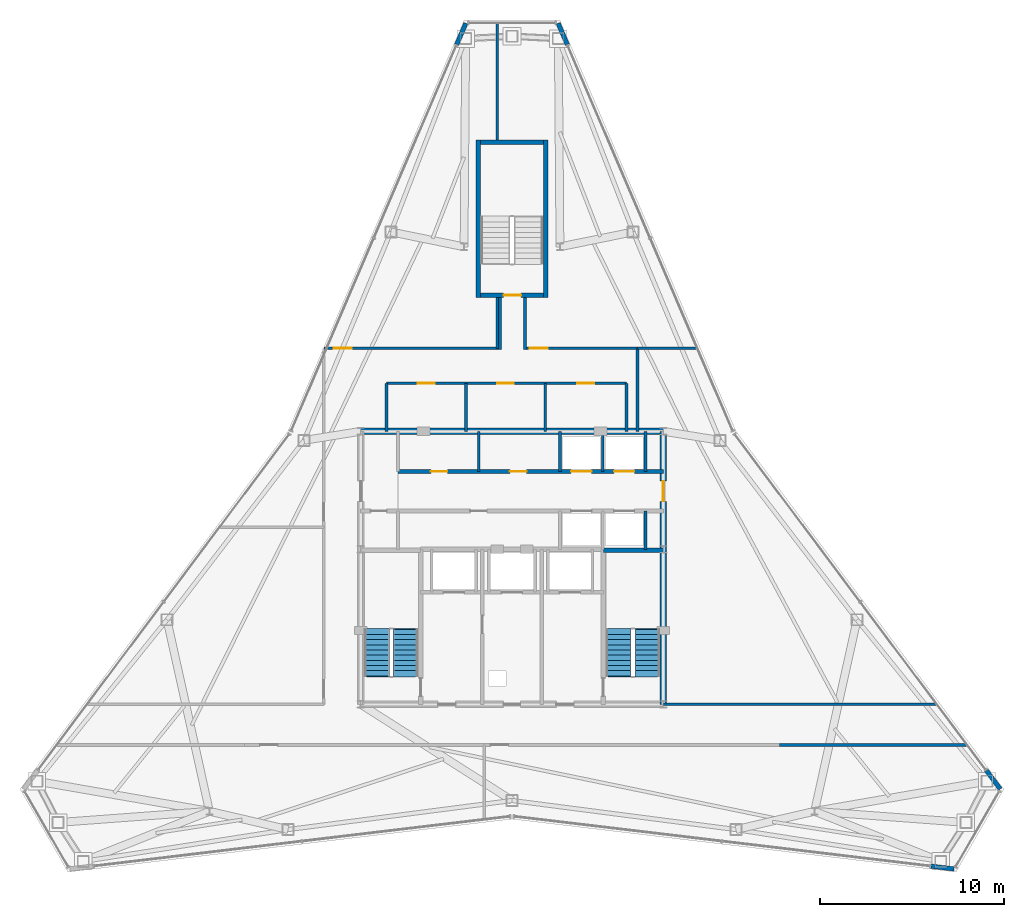
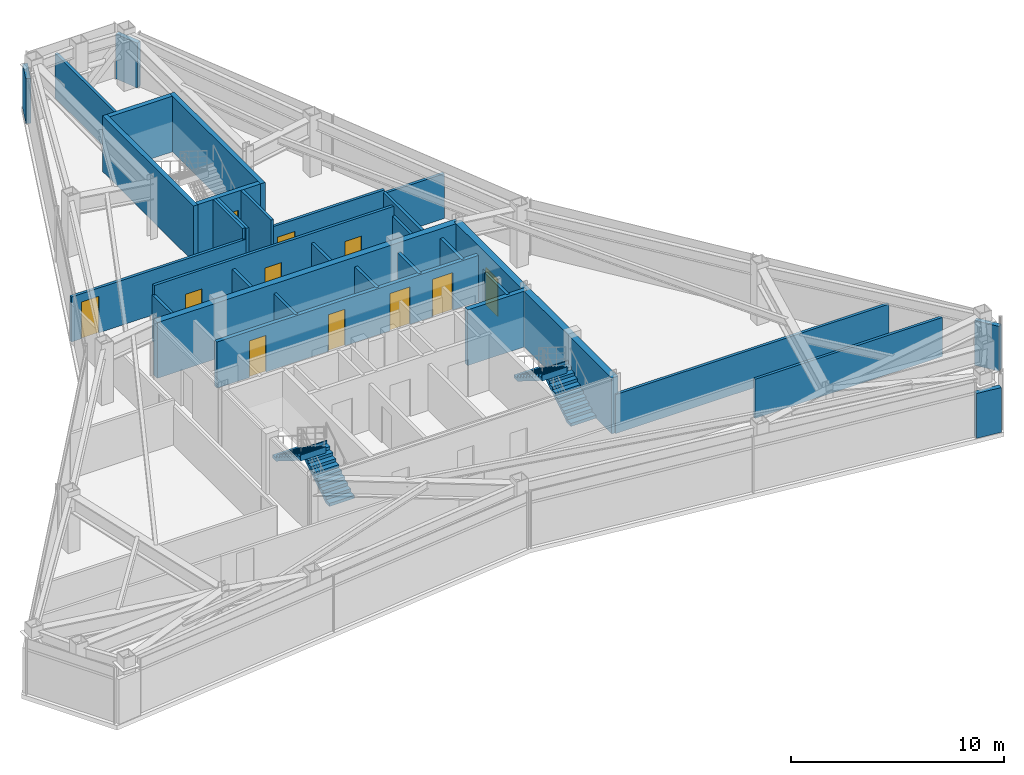
# One storey, part 10 of 12: 32 walls, 11 doors, 4 stair flights, 11 openings, 2 elements without a shape of their own.
"""IFC4 building model written with IfcOpenShell, lengths in metres."""

from ifc_helpers import new_model, si_unit, direction, frame, frame_2d, origin, place, context, subcontext, project, spatial, polyline, rectangle, outline, extrude, material, layer, layer_set, type_object, element, fill, aggregate, save


model = new_model("IFC4")

# Units and contexts
model_context = context("Model", 3, precision=1e-05, world=origin(), true_north=direction((0.0, 1.0)))
body_context = subcontext(model_context, "Body", "Model", "MODEL_VIEW")
ifc_project = project(units=[si_unit("LENGTHUNIT", "METRE"), si_unit("AREAUNIT", "SQUARE_METRE"), si_unit("VOLUMEUNIT", "CUBIC_METRE"), si_unit("PLANEANGLEUNIT", "RADIAN"), si_unit("MASSUNIT", "GRAM", prefix="KILO")], contexts=[model_context])

# Site, building, storey
site_placement = place(None, origin())
site = spatial("IfcSite", under=ifc_project, at=site_placement, CompositionType="ELEMENT")
building_placement = place(site_placement, origin())
building = spatial("IfcBuilding", under=site, at=building_placement, Name="Varakhsha Concourse Tower", CompositionType="ELEMENT")
storey_placement = place(building_placement, frame((0.0, 0.0, 286.5)))
storey = spatial("IfcBuildingStorey", under=building, at=storey_placement, Name="L81", CompositionType="ELEMENT", Elevation=286.5)

# Wall
ifc_material_1 = material(Name="Concrete fc 65 MPa", Category="concrete")
ifc_layer_1 = layer(ifc_material_1, 0.35009765625, Name="WL-CORE-350")
ifc_layer_set_1 = layer_set([ifc_layer_1], Name="Concrete fc 65 MPa")
wall_type_1 = type_object("IfcWallType", Name="WL-CORE-350", PredefinedType="SHEAR", material=ifc_layer_set_1)
wall_1_placement = place(storey_placement, frame((31.800048828125, 31.199951171875, 0.0), z_axis=(0.0, 0.0, 1.0), x_axis=(1.0, 0.0, 0.0)))
element("IfcWall", 1, at=wall_1_placement, inside=storey, type_object=wall_type_1, Name="L81 Wall CWALL-N-L81", PredefinedType="SHEAR", context=body_context, shape_type="SweptSolid", body=[
    extrude(rectangle(XDim=16.39990234375, YDim=0.35009765625, at=frame_2d((8.199951171875, 0.0))), origin(), (0.0, 0.0, 1.0), 3.199951171875),
])

# Wall, opening, door
wall_2_placement = place(storey_placement, frame((48.199951171875, 16.39990234375, 0.0), z_axis=(0.0, 0.0, 1.0), x_axis=(0.0, 1.0, 0.0)))
wall_2 = element("IfcWall", 2, at=wall_2_placement, inside=storey, type_object=wall_type_1, Name="L81 Wall CWALL-E-L81", PredefinedType="SHEAR", context=body_context, shape_type="SweptSolid", body=[
    extrude(rectangle(XDim=14.800048828125, YDim=0.35009765625, at=frame_2d((7.39990234375, 0.0))), origin(), (0.0, 0.0, 1.0), 3.199951171875),
])
opening_1_placement = place(wall_2_placement, frame((11.0, 0.0, 0.0)))
opening_1 = element("IfcOpeningElement", 3, at=opening_1_placement, cuts=wall_2, Name="Opening DL-01", PredefinedType="OPENING", context=body_context, shape_type="SweptSolid", body=[
    extrude(rectangle(XDim=1.10009765625, YDim=2.14990234375, at=frame_2d((0.550048828125, 1.074951171875))), frame((0.0, 0.18505859375, 0.0), z_axis=(0.0, -1.0, 0.0), x_axis=(1.0, 0.0, 0.0)), (0.0, 0.0, 1.0), 0.3701171875),
])
ifc_material_2 = material(Name="Anodised Bronze Architectural Aluminium AA 6063-T6", Category="aluminium")
door_type_1 = type_object("IfcDoorType", Name="DR-LOB-1100", OperationType="NOTDEFINED", PredefinedType="DOOR", material=ifc_material_2)
door_1_placement = place(opening_1_placement, origin())
door_1 = element("IfcDoor", 4, at=door_1_placement, inside=storey, type_object=door_type_1, Name="L81 Lift Lobby East Concourse Door", OperationType="SINGLE_SWING_RIGHT", OverallHeight=2.14990234375, OverallWidth=1.10009765625, PredefinedType="DOOR", context=body_context, shape_type="SweptSolid", body=[
    extrude(rectangle(XDim=1.10009765625, YDim=2.14990234375, at=frame_2d((0.550048828125, 1.074951171875))), frame((0.0, 0.02490234375, 0.0), z_axis=(0.0, -1.0, 0.0), x_axis=(1.0, 0.0, 0.0)), (0.0, 0.0, 1.0), 0.050048828125),
])
fill(opening_1, door_1)

# Walls
ifc_material_3 = material(Name="Concrete fc 45 MPa", Category="concrete")
ifc_layer_2 = layer(ifc_material_3, 0.239990234375, Name="WL-EXT-CRN-240")
ifc_layer_set_2 = layer_set([ifc_layer_2], Name="Concrete fc 45 MPa")
wall_type_2 = type_object("IfcWallType", Name="WL-EXT-CRN-240", PredefinedType="SHEAR", material=ifc_layer_set_2)
for number, where, z_axis, x_axis, name in (
    (5, (37.49853515625, 53.32080078125, 0.0), (0.0, 0.0, 1.0), (-0.393849395164, -0.919174985478, 0.0), "L81 Wind-Corner Shoulder Wall F2"),
    (6, (62.712890625, 7.623291015625, 0.0), (0.0, 0.0, 1.0), (0.992948828443, -0.118543764469, 0.0), "L81 Wind-Corner Shoulder Wall F6"),
):
    element("IfcWall", number, at=place(storey_placement, frame(where, z_axis=z_axis, x_axis=x_axis)), inside=storey, type_object=wall_type_2, Name=name, PredefinedType="SHEAR", context=body_context, shape_type="SweptSolid", body=[
        extrude(rectangle(XDim=1.2646484375, YDim=0.239990234375, at=frame_2d((0.63232421875, 0.0))), origin(), (0.0, 0.0, 1.0), 2.572998046875),
    ])
wall_3_placement = place(storey_placement, frame((66.469970703125, 11.805908203125, 0.0), z_axis=(0.0, 0.0, 1.0), x_axis=(-0.5991037677, 0.800671390477, 0.0)))
element("IfcWall", 7, at=wall_3_placement, inside=storey, type_object=wall_type_2, Name="L81 Wind-Corner Shoulder Wall F8", PredefinedType="SHEAR", context=body_context, shape_type="SweptSolid", body=[
    extrude(rectangle(XDim=1.264404296875, YDim=0.239990234375, at=frame_2d((0.63232421875, 0.0))), origin(), (0.0, 0.0, 1.0), 2.572998046875),
])
wall_4_placement = place(storey_placement, frame((42.99951171875, 52.158447265625, 0.0), z_axis=(0.0, 0.0, 1.0), x_axis=(-0.393849395164, 0.919174985478, 0.0)))
element("IfcWall", 8, at=wall_4_placement, inside=storey, type_object=wall_type_2, Name="L81 Wind-Corner Shoulder Wall F9", PredefinedType="SHEAR", context=body_context, shape_type="SweptSolid", body=[
    extrude(rectangle(XDim=1.2646484375, YDim=0.239990234375, at=frame_2d((0.63232421875, 0.0))), origin(), (0.0, 0.0, 1.0), 2.572998046875),
])
ifc_material_4 = material(Name="Fire-Rated Type X Gypsum Partition Assembly", Category="gypsum")
ifc_layer_3 = layer(ifc_material_4, 0.14990234375, Name="WL-PART-150")
ifc_layer_set_3 = layer_set([ifc_layer_3], Name="Fire-Rated Type X Gypsum Partition Assembly")
wall_type_3 = type_object("IfcWallType", Name="WL-PART-150", PredefinedType="PARTITIONING", material=ifc_layer_set_3)
wall_5_placement = place(storey_placement, frame((38.199951171875, 29.02001953125, 0.0), z_axis=(0.0, 0.0, 1.0), x_axis=(0.0, 1.0, 0.0)))
element("IfcWall", 9, at=wall_5_placement, inside=storey, type_object=wall_type_3, Name="L81 Wall P1F-D1-L81", PredefinedType="PARTITIONING", context=body_context, shape_type="SweptSolid", body=[
    extrude(rectangle(XDim=2.179931640625, YDim=0.14990234375, at=frame_2d((1.08984375, 0.0))), origin(), (0.0, 0.0, 1.0), 2.655029296875),
])

# Wall, openings, doors
wall_6_placement = place(storey_placement, frame((33.199951171875, 33.800048828125, 0.0), z_axis=(0.0, 0.0, 1.0), x_axis=(1.0, 0.0, 0.0)))
wall_6 = element("IfcWall", 10, at=wall_6_placement, inside=storey, type_object=wall_type_3, Name="L81 Wall NBOH-N-L81", PredefinedType="PARTITIONING", context=body_context, shape_type="SweptSolid", body=[
    extrude(rectangle(XDim=13.0, YDim=0.14990234375, at=frame_2d((6.5, 0.0))), origin(), (0.0, 0.0, 1.0), 3.199951171875),
])
opening_2_placement = place(wall_6_placement, frame((1.699951171875, 0.0, 0.0)))
opening_2 = element("IfcOpeningElement", 11, at=opening_2_placement, cuts=wall_6, Name="Opening DF-06", PredefinedType="OPENING", context=body_context, shape_type="SweptSolid", body=[
    extrude(rectangle(XDim=0.89990234375, YDim=2.10009765625, at=frame_2d((0.449951171875, 1.050048828125))), frame((0.0, 0.0849609375, 0.0), z_axis=(0.0, -1.0, 0.0), x_axis=(1.0, 0.0, 0.0)), (0.0, 0.0, 1.0), 0.169921875),
])
opening_3_placement = place(wall_6_placement, frame((6.0, 0.0, 0.0)))
opening_3 = element("IfcOpeningElement", 12, at=opening_3_placement, cuts=wall_6, Name="Opening DF-06", PredefinedType="OPENING", context=body_context, shape_type="SweptSolid", body=[
    extrude(rectangle(XDim=0.89990234375, YDim=2.10009765625, at=frame_2d((0.449951171875, 1.050048828125))), frame((0.0, 0.0849609375, 0.0), z_axis=(0.0, -1.0, 0.0), x_axis=(1.0, 0.0, 0.0)), (0.0, 0.0, 1.0), 0.169921875),
])
opening_4_placement = place(wall_6_placement, frame((10.35009765625, 0.0, 0.0)))
opening_4 = element("IfcOpeningElement", 13, at=opening_4_placement, cuts=wall_6, Name="Opening DF-06", PredefinedType="OPENING", context=body_context, shape_type="SweptSolid", body=[
    extrude(rectangle(XDim=0.89990234375, YDim=2.10009765625, at=frame_2d((0.449951171875, 1.050048828125))), frame((0.0, 0.0849609375, 0.0), z_axis=(0.0, -1.0, 0.0), x_axis=(1.0, 0.0, 0.0)), (0.0, 0.0, 1.0), 0.169921875),
])
ifc_material_5 = material(Name="Hollow Galvanised Steel Fire Door Assembly", Category="steel")
door_type_2 = type_object("IfcDoorType", Name="DR-FD60-900", OperationType="NOTDEFINED", PredefinedType="DOOR", material=ifc_material_5)
door_2_placement = place(opening_2_placement, origin())
door_2 = element("IfcDoor", 14, at=door_2_placement, inside=storey, type_object=door_type_2, Name="L81 Men Restroom WC Door", OperationType="SINGLE_SWING_LEFT", OverallHeight=2.10009765625, OverallWidth=0.89990234375, PredefinedType="DOOR", context=body_context, shape_type="SweptSolid", body=[
    extrude(rectangle(XDim=0.89990234375, YDim=2.10009765625, at=frame_2d((0.449951171875, 1.050048828125))), frame((0.0, 0.02490234375, 0.0), z_axis=(0.0, -1.0, 0.0), x_axis=(1.0, 0.0, 0.0)), (0.0, 0.0, 1.0), 0.050048828125),
])
fill(opening_2, door_2)
door_3_placement = place(opening_3_placement, origin())
door_3 = element("IfcDoor", 15, at=door_3_placement, inside=storey, type_object=door_type_2, Name="L81 Women Restroom WC Door", OperationType="SINGLE_SWING_RIGHT", OverallHeight=2.10009765625, OverallWidth=0.89990234375, PredefinedType="DOOR", context=body_context, shape_type="SweptSolid", body=[
    extrude(rectangle(XDim=0.89990234375, YDim=2.10009765625, at=frame_2d((0.449951171875, 1.050048828125))), frame((0.0, 0.02490234375, 0.0), z_axis=(0.0, -1.0, 0.0), x_axis=(1.0, 0.0, 0.0)), (0.0, 0.0, 1.0), 0.050048828125),
])
fill(opening_3, door_3)
door_4_placement = place(opening_4_placement, origin())
door_4 = element("IfcDoor", 16, at=door_4_placement, inside=storey, type_object=door_type_2, Name="L81 Accessible WC Door", OperationType="SINGLE_SWING_LEFT", OverallHeight=2.10009765625, OverallWidth=0.89990234375, PredefinedType="DOOR", context=body_context, shape_type="SweptSolid", body=[
    extrude(rectangle(XDim=0.89990234375, YDim=2.10009765625, at=frame_2d((0.449951171875, 1.050048828125))), frame((0.0, 0.02490234375, 0.0), z_axis=(0.0, -1.0, 0.0), x_axis=(1.0, 0.0, 0.0)), (0.0, 0.0, 1.0), 0.050048828125),
])
fill(opening_4, door_4)

# Walls
for number, where, z_axis, x_axis, name in (
    (17, (33.199951171875, 31.199951171875, 0.0), (0.0, 0.0, 1.0), (0.0, 1.0, 0.0), "L81 Wall NBOH-W-L81"),
    (18, (46.199951171875, 31.199951171875, 0.0), (0.0, 0.0, 1.0), (0.0, 1.0, 0.0), "L81 Wall NBOH-E-L81"),
    (19, (37.5, 31.199951171875, 0.0), (0.0, 0.0, 1.0), (0.0, 1.0, 0.0), "L81 Wall NBOH-D1-L81"),
    (20, (41.800048828125, 31.199951171875, 0.0), (0.0, 0.0, 1.0), (0.0, 1.0, 0.0), "L81 Wall NBOH-D2-L81"),
):
    element("IfcWall", number, at=place(storey_placement, frame(where, z_axis=z_axis, x_axis=x_axis)), inside=storey, type_object=wall_type_3, Name=name, PredefinedType="PARTITIONING", context=body_context, shape_type="SweptSolid", body=[
        extrude(rectangle(XDim=2.60009765625, YDim=0.14990234375, at=frame_2d((1.300048828125, 0.0))), origin(), (0.0, 0.0, 1.0), 2.655029296875),
    ])
wall_7_placement = place(storey_placement, frame((54.5, 14.199951171875, 0.0), z_axis=(0.0, 0.0, 1.0), x_axis=(1.0, 0.0, 0.0)))
element("IfcWall", 21, at=wall_7_placement, inside=storey, type_object=wall_type_3, Name="L81 Wall CRW-SGAL-SE-L81", PredefinedType="PARTITIONING", context=body_context, shape_type="SweptSolid", body=[
    extrude(rectangle(XDim=10.17236328125, YDim=0.14990234375, at=frame_2d((5.086181640625, 0.0))), origin(), (0.0, 0.0, 1.0), 2.241943359375),
])
wall_8_placement = place(storey_placement, frame((48.199951171875, 16.39990234375, 0.0), z_axis=(0.0, 0.0, 1.0), x_axis=(1.0, 0.0, 0.0)))
element("IfcWall", 22, at=wall_8_placement, inside=storey, type_object=wall_type_3, Name="L81 Wall CRW-SGAL-NE-L81", PredefinedType="PARTITIONING", context=body_context, shape_type="SweptSolid", body=[
    extrude(rectangle(XDim=14.826171875, YDim=0.14990234375, at=frame_2d((7.4130859375, 0.0))), origin(), (0.0, 0.0, 1.0), 2.241943359375),
])

# Wall, opening, door
wall_9_placement = place(storey_placement, frame((29.800048828125, 35.699951171875, 0.0), z_axis=(0.0, 0.0, 1.0), x_axis=(1.0, 0.0, 0.0)))
wall_9 = element("IfcWall", 23, at=wall_9_placement, inside=storey, type_object=wall_type_3, Name="L81 Wall CRW-N-L81", PredefinedType="PARTITIONING", context=body_context, shape_type="SweptSolid", body=[
    extrude(rectangle(XDim=9.474853515625, YDim=0.14990234375, at=frame_2d((4.7373046875, 0.0))), origin(), (0.0, 0.0, 1.0), 2.577880859375),
])
opening_5_placement = place(wall_9_placement, frame((0.550048828125, 0.0, 0.0)))
opening_5 = element("IfcOpeningElement", 24, at=opening_5_placement, cuts=wall_9, Name="Opening DF-05", PredefinedType="OPENING", context=body_context, shape_type="SweptSolid", body=[
    extrude(rectangle(XDim=0.949951171875, YDim=2.10009765625, at=frame_2d((0.47509765625, 1.050048828125))), frame((0.0, 0.0849609375, 0.0), z_axis=(0.0, -1.0, 0.0), x_axis=(1.0, 0.0, 0.0)), (0.0, 0.0, 1.0), 0.169921875),
])
door_type_3 = type_object("IfcDoorType", Name="DR-FD60-950", OperationType="NOTDEFINED", PredefinedType="DOOR", material=ifc_material_5)
door_5_placement = place(opening_5_placement, origin())
door_5 = element("IfcDoor", 25, at=door_5_placement, inside=storey, type_object=door_type_3, Name="L81 Mountain View Front Range VIP Salon L81-N1 Door", OperationType="SINGLE_SWING_RIGHT", OverallHeight=2.10009765625, OverallWidth=0.949951171875, PredefinedType="DOOR", context=body_context, shape_type="SweptSolid", body=[
    extrude(rectangle(XDim=0.949951171875, YDim=2.10009765625, at=frame_2d((0.47509765625, 1.050048828125))), frame((0.0, 0.02490234375, 0.0), z_axis=(0.0, -1.0, 0.0), x_axis=(1.0, 0.0, 0.0)), (0.0, 0.0, 1.0), 0.050048828125),
])
fill(opening_5, door_5)

wall_10_placement = place(storey_placement, frame((40.77490234375, 35.699951171875, 0.0), z_axis=(0.0, 0.0, 1.0), x_axis=(1.0, 0.0, 0.0)))
wall_10 = element("IfcWall", 26, at=wall_10_placement, inside=storey, type_object=wall_type_3, Name="L81 Wall CRW-N-L81-B", PredefinedType="PARTITIONING", context=body_context, shape_type="SweptSolid", body=[
    extrude(rectangle(XDim=6.025146484375, YDim=0.14990234375, at=frame_2d((3.0126953125, 0.0))), origin(), (0.0, 0.0, 1.0), 2.782958984375),
])
opening_6_placement = place(wall_10_placement, frame((0.199951171875, 0.0, 0.0)))
opening_6 = element("IfcOpeningElement", 27, at=opening_6_placement, cuts=wall_10, Name="Opening DF-05", PredefinedType="OPENING", context=body_context, shape_type="SweptSolid", body=[
    extrude(rectangle(XDim=0.949951171875, YDim=2.10009765625, at=frame_2d((0.47509765625, 1.050048828125))), frame((0.0, 0.0849609375, 0.0), z_axis=(0.0, -1.0, 0.0), x_axis=(1.0, 0.0, 0.0)), (0.0, 0.0, 1.0), 0.169921875),
])
door_6_placement = place(opening_6_placement, origin())
door_6 = element("IfcDoor", 28, at=door_6_placement, inside=storey, type_object=door_type_3, Name="L81 North Summit Observatory Gallery L81-N2 Door", OperationType="SINGLE_SWING_LEFT", OverallHeight=2.10009765625, OverallWidth=0.949951171875, PredefinedType="DOOR", context=body_context, shape_type="SweptSolid", body=[
    extrude(rectangle(XDim=0.949951171875, YDim=2.10009765625, at=frame_2d((0.47509765625, 1.050048828125))), frame((0.0, 0.02490234375, 0.0), z_axis=(0.0, -1.0, 0.0), x_axis=(1.0, 0.0, 0.0)), (0.0, 0.0, 1.0), 0.050048828125),
])
fill(opening_6, door_6)

# Walls
wall_11_placement = place(storey_placement, frame((46.800048828125, 31.199951171875, 0.0), z_axis=(0.0, 0.0, 1.0), x_axis=(0.0, 1.0, 0.0)))
element("IfcWall", 29, at=wall_11_placement, inside=storey, type_object=wall_type_3, Name="L81 Wall CRW-NE-L81", PredefinedType="PARTITIONING", context=body_context, shape_type="SweptSolid", body=[
    extrude(rectangle(XDim=4.5, YDim=0.14990234375, at=frame_2d((2.25, 0.0))), origin(), (0.0, 0.0, 1.0), 2.655029296875),
])
wall_12_placement = place(storey_placement, frame((46.800048828125, 35.699951171875, 0.0), z_axis=(0.0, 0.0, 1.0), x_axis=(1.0, 0.0, 0.0)))
element("IfcWall", 30, at=wall_12_placement, inside=storey, type_object=wall_type_3, Name="L81 Wall ODIV-EBN-L81", PredefinedType="PARTITIONING", context=body_context, shape_type="SweptSolid", body=[
    extrude(rectangle(XDim=3.245849609375, YDim=0.14990234375, at=frame_2d((1.623046875, 0.0))), origin(), (0.0, 0.0, 1.0), 2.577880859375),
])
wall_13_placement = place(storey_placement, frame((39.199951171875, 35.699951171875, 0.0), z_axis=(0.0, 0.0, 1.0), x_axis=(0.0, 1.0, 0.0)))
element("IfcWall", 31, at=wall_13_placement, inside=storey, type_object=wall_type_3, Name="L81 Wall ODIV-N1-L81", PredefinedType="PARTITIONING", context=body_context, shape_type="SweptSolid", body=[
    extrude(rectangle(XDim=2.75, YDim=0.14990234375, at=frame_2d((1.375, 0.0))), origin(), (0.0, 0.0, 1.0), 3.199951171875),
])
wall_14_placement = place(storey_placement, frame((39.199951171875, 47.0, 0.0), z_axis=(0.0, 0.0, 1.0), x_axis=(0.0, 1.0, 0.0)))
element("IfcWall", 32, at=wall_14_placement, inside=storey, type_object=wall_type_3, Name="L81 Wall ODIV-N1-L81-B", PredefinedType="PARTITIONING", context=body_context, shape_type="SweptSolid", body=[
    extrude(rectangle(XDim=6.331787109375, YDim=0.14990234375, at=frame_2d((3.166015625, 0.0))), origin(), (0.0, 0.0, 1.0), 2.577880859375),
])
for number, where, z_axis, x_axis, name in (
    (33, (39.35009765625, 35.625, 0.0), (0.0, 0.0, 1.0), (0.0, 1.0, 0.0), "L81 Wall STUB-W-L81"),
    (34, (40.699951171875, 35.625, 0.0), (0.0, 0.0, 1.0), (0.0, 1.0, 0.0), "L81 Wall STUB-E-L81"),
):
    element("IfcWall", number, at=place(storey_placement, frame(where, z_axis=z_axis, x_axis=x_axis)), inside=storey, type_object=wall_type_3, Name=name, PredefinedType="PARTITIONING", context=body_context, shape_type="SweptSolid", body=[
        extrude(rectangle(XDim=2.824951171875, YDim=0.14990234375, at=frame_2d((1.41259765625, 0.0))), origin(), (0.0, 0.0, 1.0), 3.199951171875),
    ])

# Wall, openings, doors
ifc_layer_4 = layer(ifc_material_4, 0.199951171875, Name="WL-SHAFT-220")
ifc_layer_set_4 = layer_set([ifc_layer_4], Name="Fire-Rated Type X Gypsum Partition Assembly")
wall_type_4 = type_object("IfcWallType", Name="WL-SHAFT-220", PredefinedType="SOLIDWALL", material=ifc_layer_set_4)
wall_15_placement = place(storey_placement, frame((33.820068359375, 29.02001953125, 0.0), z_axis=(0.0, 0.0, 1.0), x_axis=(1.0, 0.0, 0.0)))
wall_15 = element("IfcWall", 35, at=wall_15_placement, inside=storey, type_object=wall_type_4, Name="L81 Wall PLW-N-L81", PredefinedType="SOLIDWALL", context=body_context, shape_type="SweptSolid", body=[
    extrude(rectangle(XDim=14.3798828125, YDim=0.199951171875, at=frame_2d((7.18994140625, 0.0))), origin(), (0.0, 0.0, 1.0), 2.655029296875),
])
opening_7_placement = place(wall_15_placement, frame((1.780029296875, 0.0, 0.0)))
opening_7 = element("IfcOpeningElement", 36, at=opening_7_placement, cuts=wall_15, Name="Opening DF-06", PredefinedType="OPENING", context=body_context, shape_type="SweptSolid", body=[
    extrude(rectangle(XDim=0.89990234375, YDim=2.10009765625, at=frame_2d((0.449951171875, 1.050048828125))), frame((0.0, 0.10986328125, 0.0), z_axis=(0.0, -1.0, 0.0), x_axis=(1.0, 0.0, 0.0)), (0.0, 0.0, 1.0), 0.219970703125),
])
opening_8_placement = place(wall_15_placement, frame((6.070068359375, 0.0, 0.0)))
opening_8 = element("IfcOpeningElement", 37, at=opening_8_placement, cuts=wall_15, Name="Opening DF-06", PredefinedType="OPENING", context=body_context, shape_type="SweptSolid", body=[
    extrude(rectangle(XDim=0.89990234375, YDim=2.10009765625, at=frame_2d((0.449951171875, 1.050048828125))), frame((0.0, 0.10986328125, 0.0), z_axis=(0.0, -1.0, 0.0), x_axis=(1.0, 0.0, 0.0)), (0.0, 0.0, 1.0), 0.219970703125),
])
opening_9_placement = place(wall_15_placement, frame((9.389892578125, 0.0, 0.0)))
opening_9 = element("IfcOpeningElement", 38, at=opening_9_placement, cuts=wall_15, Name="Opening LD-LF-P09", PredefinedType="OPENING", context=body_context, shape_type="SweptSolid", body=[
    extrude(rectangle(XDim=1.10009765625, YDim=2.14990234375, at=frame_2d((0.550048828125, 1.074951171875))), frame((0.0, 0.10986328125, 0.0), z_axis=(0.0, -1.0, 0.0), x_axis=(1.0, 0.0, 0.0)), (0.0, 0.0, 1.0), 0.219970703125),
])
opening_10_placement = place(wall_15_placement, frame((11.7099609375, 0.0, 0.0)))
opening_10 = element("IfcOpeningElement", 39, at=opening_10_placement, cuts=wall_15, Name="Opening LD-LF-P10", PredefinedType="OPENING", context=body_context, shape_type="SweptSolid", body=[
    extrude(rectangle(XDim=1.10009765625, YDim=2.14990234375, at=frame_2d((0.550048828125, 1.074951171875))), frame((0.0, 0.10986328125, 0.0), z_axis=(0.0, -1.0, 0.0), x_axis=(1.0, 0.0, 0.0)), (0.0, 0.0, 1.0), 0.219970703125),
])
door_7_placement = place(opening_7_placement, origin())
door_7 = element("IfcDoor", 40, at=door_7_placement, inside=storey, type_object=door_type_2, Name="L81 Tenant Archive and IT Server Room Door", OperationType="SINGLE_SWING_LEFT", OverallHeight=2.10009765625, OverallWidth=0.89990234375, PredefinedType="DOOR", context=body_context, shape_type="SweptSolid", body=[
    extrude(rectangle(XDim=0.89990234375, YDim=2.10009765625, at=frame_2d((0.449951171875, 1.050048828125))), frame((0.0, 0.02490234375, 0.0), z_axis=(0.0, -1.0, 0.0), x_axis=(1.0, 0.0, 0.0)), (0.0, 0.0, 1.0), 0.050048828125),
])
fill(opening_7, door_7)
door_8_placement = place(opening_8_placement, origin())
door_8 = element("IfcDoor", 41, at=door_8_placement, inside=storey, type_object=door_type_2, Name="L81 Core Facility Closet N1 Door", OperationType="SINGLE_SWING_RIGHT", OverallHeight=2.10009765625, OverallWidth=0.89990234375, PredefinedType="DOOR", context=body_context, shape_type="SweptSolid", body=[
    extrude(rectangle(XDim=0.89990234375, YDim=2.10009765625, at=frame_2d((0.449951171875, 1.050048828125))), frame((0.0, 0.02490234375, 0.0), z_axis=(0.0, -1.0, 0.0), x_axis=(1.0, 0.0, 0.0)), (0.0, 0.0, 1.0), 0.050048828125),
])
fill(opening_8, door_8)
ifc_material_6 = material(Name="Brushed Austenitic Stainless Steel AISI 316", Category="steel")
door_type_4 = type_object("IfcDoorType", Name="DR-LD-1100", OperationType="DOUBLE_DOOR_SLIDING", PredefinedType="DOOR", material=ifc_material_6)
door_9_placement = place(opening_9_placement, origin())
door_9 = element("IfcDoor", 42, at=door_9_placement, inside=storey, type_object=door_type_4, Name="Lift Landing Door LF-P09 L81", OperationType="DOUBLE_DOOR_SLIDING", OverallHeight=2.14990234375, OverallWidth=1.10009765625, PredefinedType="DOOR", context=body_context, shape_type="SweptSolid", body=[
    extrude(rectangle(XDim=1.10009765625, YDim=2.14990234375, at=frame_2d((0.550048828125, 1.074951171875))), frame((0.0, 0.02490234375, 0.0), z_axis=(0.0, -1.0, 0.0), x_axis=(1.0, 0.0, 0.0)), (0.0, 0.0, 1.0), 0.050048828125),
])
fill(opening_9, door_9)
door_10_placement = place(opening_10_placement, origin())
door_10 = element("IfcDoor", 43, at=door_10_placement, inside=storey, type_object=door_type_4, Name="Lift Landing Door LF-P10 L81", OperationType="DOUBLE_DOOR_SLIDING", OverallHeight=2.14990234375, OverallWidth=1.10009765625, PredefinedType="DOOR", context=body_context, shape_type="SweptSolid", body=[
    extrude(rectangle(XDim=1.10009765625, YDim=2.14990234375, at=frame_2d((0.550048828125, 1.074951171875))), frame((0.0, 0.02490234375, 0.0), z_axis=(0.0, -1.0, 0.0), x_axis=(1.0, 0.0, 0.0)), (0.0, 0.0, 1.0), 0.050048828125),
])
fill(opening_10, door_10)

# Walls
for number, where, z_axis, x_axis, name in (
    (44, (42.60009765625, 29.02001953125, 0.0), (0.0, 0.0, 1.0), (0.0, 1.0, 0.0), "L81 Wall SHW-LF-P09-W-L81"),
    (45, (44.919921875, 29.02001953125, 0.0), (0.0, 0.0, 1.0), (0.0, 1.0, 0.0), "L81 Wall SHW-LF-P09-E-L81"),
    (46, (47.239990234375, 29.02001953125, 0.0), (0.0, 0.0, 1.0), (0.0, 1.0, 0.0), "L81 Wall SHW-LF-P10-E-L81"),
):
    element("IfcWall", number, at=place(storey_placement, frame(where, z_axis=z_axis, x_axis=x_axis)), inside=storey, type_object=wall_type_4, Name=name, PredefinedType="SOLIDWALL", context=body_context, shape_type="SweptSolid", body=[
        extrude(rectangle(XDim=2.179931640625, YDim=0.159912109375, at=frame_2d((1.08984375, 0.0))), origin(), (0.0, 0.0, 1.0), 2.655029296875),
    ])
wall_16_placement = place(storey_placement, frame((47.239990234375, 24.800048828125, 0.0), z_axis=(0.0, 0.0, 1.0), x_axis=(0.0, 1.0, 0.0)))
element("IfcWall", 47, at=wall_16_placement, inside=storey, type_object=wall_type_4, Name="L81 Wall SHW-LF-P12-E-L81", PredefinedType="SOLIDWALL", context=body_context, shape_type="SweptSolid", body=[
    extrude(rectangle(XDim=2.079833984375, YDim=0.159912109375, at=frame_2d((1.0400390625, 0.0))), origin(), (0.0, 0.0, 1.0), 3.199951171875),
])
ifc_layer_5 = layer(ifc_material_3, 0.25, Name="WL-STAIR-250")
ifc_layer_set_5 = layer_set([ifc_layer_5], Name="Concrete fc 45 MPa")
wall_type_5 = type_object("IfcWallType", Name="WL-STAIR-250", PredefinedType="SHEAR", material=ifc_layer_set_5)
wall_17_placement = place(storey_placement, frame((44.955078125, 24.7548828125, 0.0), z_axis=(0.0, 0.0, 1.0), x_axis=(1.0, 0.0, 0.0)))
element("IfcWall", 48, at=wall_17_placement, inside=storey, type_object=wall_type_5, Name="L81 Wall SWALL-ST2-N-L81", PredefinedType="SHEAR", context=body_context, shape_type="SweptSolid", body=[
    extrude(rectangle(XDim=3.244873046875, YDim=0.25, at=frame_2d((1.62255859375, 0.0))), origin(), (0.0, 0.0, 1.0), 3.199951171875),
])
for number, where, z_axis, x_axis, name in (
    (49, (38.175048828125, 38.449951171875, 0.0), (0.0, 0.0, 1.0), (0.0, 1.0, 0.0), "L81 Wall SWALL-ST5-W-L81"),
    (50, (41.824951171875, 38.449951171875, 0.0), (0.0, 0.0, 1.0), (0.0, 1.0, 0.0), "L81 Wall SWALL-ST5-E-L81"),
):
    element("IfcWall", number, at=place(storey_placement, frame(where, z_axis=z_axis, x_axis=x_axis)), inside=storey, type_object=wall_type_5, Name=name, PredefinedType="SHEAR", context=body_context, shape_type="SweptSolid", body=[
        extrude(rectangle(XDim=8.550048828125, YDim=0.25, at=frame_2d((4.27490234375, 0.0))), origin(), (0.0, 0.0, 1.0), 3.199951171875),
    ])

# Wall, opening, door
wall_18_placement = place(storey_placement, frame((38.300048828125, 38.574951171875, 0.0), z_axis=(0.0, 0.0, 1.0), x_axis=(1.0, 0.0, 0.0)))
wall_18 = element("IfcWall", 51, at=wall_18_placement, inside=storey, type_object=wall_type_5, Name="L81 Wall SWALL-ST5-S-L81", PredefinedType="SHEAR", context=body_context, shape_type="SweptSolid", body=[
    extrude(rectangle(XDim=3.39990234375, YDim=0.25, at=frame_2d((1.699951171875, 0.0))), origin(), (0.0, 0.0, 1.0), 3.199951171875),
])
opening_11_placement = place(wall_18_placement, frame((1.25, 0.0, 0.0)))
opening_11 = element("IfcOpeningElement", 52, at=opening_11_placement, cuts=wall_18, Name="Opening DF-03", PredefinedType="OPENING", context=body_context, shape_type="SweptSolid", body=[
    extrude(rectangle(XDim=0.949951171875, YDim=2.10009765625, at=frame_2d((0.47509765625, 1.050048828125))), frame((0.0, 0.135009765625, 0.0), z_axis=(0.0, -1.0, 0.0), x_axis=(1.0, 0.0, 0.0)), (0.0, 0.0, 1.0), 0.27001953125),
])
door_type_5 = type_object("IfcDoorType", Name="DR-FD90-950", OperationType="NOTDEFINED", PredefinedType="DOOR", material=ifc_material_5)
door_11_placement = place(opening_11_placement, origin())
door_11 = element("IfcDoor", 53, at=door_11_placement, inside=storey, type_object=door_type_5, Name="L81 Stair ST5 Fire Door", OperationType="SINGLE_SWING_RIGHT", OverallHeight=2.10009765625, OverallWidth=0.949951171875, PredefinedType="DOOR", context=body_context, shape_type="SweptSolid", body=[
    extrude(rectangle(XDim=0.949951171875, YDim=2.10009765625, at=frame_2d((0.47509765625, 1.050048828125))), frame((0.0, 0.02490234375, 0.0), z_axis=(0.0, -1.0, 0.0), x_axis=(1.0, 0.0, 0.0)), (0.0, 0.0, 1.0), 0.050048828125),
])
fill(opening_11, door_11)

# Wall
wall_19_placement = place(storey_placement, frame((38.300048828125, 46.875, 0.0), z_axis=(0.0, 0.0, 1.0), x_axis=(1.0, 0.0, 0.0)))
element("IfcWall", 54, at=wall_19_placement, inside=storey, type_object=wall_type_5, Name="L81 Wall SWALL-ST5-N-L81", PredefinedType="SHEAR", context=body_context, shape_type="SweptSolid", body=[
    extrude(rectangle(XDim=3.39990234375, YDim=0.25, at=frame_2d((1.699951171875, 0.0))), origin(), (0.0, 0.0, 1.0), 3.199951171875),
])

# Stair, stair flights
stair_type = type_object("IfcStairType", Name="ST-DOGLEG-1360", PredefinedType="HALF_TURN_STAIR", material=ifc_material_3)
stair_1_placement = place(storey_placement, origin())
stair_1 = element("IfcStair", 55, at=stair_1_placement, inside=storey, type_object=stair_type, Name="L81 Protected Exit Stair ST1", PredefinedType="HALF_TURN_STAIR")
stair_flight_type = type_object("IfcStairFlightType", Name="STF-1360-R1750", PredefinedType="STRAIGHT", material=ifc_material_3)
stair_flight_1_placement = place(storey_placement, frame((34.239990234375, 17.93994140625, 0.0), z_axis=(0.0, 0.0, 1.0), x_axis=(0.0, 1.0, 0.0)))
stair_flight_1 = element("IfcStairFlight", 56, at=stair_flight_1_placement, type_object=stair_flight_type, Name="ST1 flight 1", NumberOfRisers=10, NumberOfTreads=9, PredefinedType="STRAIGHT", RiserHeight=0.175, TreadLength=0.28, context=body_context, shape_type="SweptSolid", body=[
    extrude(outline(polyline([(-0.06005859375, 0.0), (-0.06005859375, 0.175048828125), (0.0, 0.175048828125), (0.280029296875, 0.175048828125), (0.280029296875, 0.35009765625), (0.56005859375, 0.35009765625), (0.56005859375, 0.52490234375), (0.840087890625, 0.52490234375), (0.840087890625, 0.699951171875), (1.1201171875, 0.699951171875), (1.1201171875, 0.875), (1.39990234375, 0.875), (1.39990234375, 1.050048828125), (1.679931640625, 1.050048828125), (1.679931640625, 1.22509765625), (1.9599609375, 1.22509765625), (1.9599609375, 1.39990234375), (2.239990234375, 1.39990234375), (2.239990234375, 1.574951171875), (2.52001953125, 1.574951171875), (2.52001953125, 1.75), (2.580078125, 1.75), (2.580078125, 1.398193359375), (2.52001953125, 1.398193359375), (0.28271484375, 0.0), (-0.06005859375, 0.0)])), frame((0.0, 0.68017578125, 0.0), z_axis=(0.0, -1.0, 0.0), x_axis=(1.0, 0.0, 0.0)), (0.0, 0.0, 1.0), 1.360107421875),
])
stair_flight_2_placement = place(storey_placement, frame((32.679931640625, 20.4599609375, 1.75), z_axis=(0.0, 0.0, 1.0), x_axis=(0.0, -1.0, 0.0)))
stair_flight_2 = element("IfcStairFlight", 57, at=stair_flight_2_placement, type_object=stair_flight_type, Name="ST1 flight 2", NumberOfRisers=10, NumberOfTreads=9, PredefinedType="STRAIGHT", RiserHeight=0.175, TreadLength=0.28, context=body_context, shape_type="SweptSolid", body=[
    extrude(outline(polyline([(-0.06005859375, 0.0), (-0.06005859375, 0.175048828125), (0.0, 0.175048828125), (0.280029296875, 0.175048828125), (0.280029296875, 0.35009765625), (0.56005859375, 0.35009765625), (0.56005859375, 0.52490234375), (0.840087890625, 0.52490234375), (0.840087890625, 0.699951171875), (1.1201171875, 0.699951171875), (1.1201171875, 0.875), (1.39990234375, 0.875), (1.39990234375, 1.050048828125), (1.679931640625, 1.050048828125), (1.679931640625, 1.22509765625), (1.9599609375, 1.22509765625), (1.9599609375, 1.39990234375), (2.239990234375, 1.39990234375), (2.239990234375, 1.574951171875), (2.52001953125, 1.574951171875), (2.52001953125, 1.75), (2.580078125, 1.75), (2.580078125, 1.398193359375), (2.52001953125, 1.398193359375), (0.28271484375, 0.0), (-0.06005859375, 0.0)])), frame((0.0, 0.68017578125, 0.0), z_axis=(0.0, -1.0, 0.0), x_axis=(1.0, 0.0, 0.0)), (0.0, 0.0, 1.0), 1.360107421875),
])
aggregate(stair_1, [stair_flight_1, stair_flight_2])

stair_2_placement = place(storey_placement, origin())
stair_2 = element("IfcStair", 58, at=stair_2_placement, inside=storey, type_object=stair_type, Name="L81 Protected Exit Stair ST2", PredefinedType="HALF_TURN_STAIR")
stair_flight_3_placement = place(storey_placement, frame((47.340087890625, 17.93994140625, 0.0), z_axis=(0.0, 0.0, 1.0), x_axis=(0.0, 1.0, 0.0)))
stair_flight_3 = element("IfcStairFlight", 59, at=stair_flight_3_placement, type_object=stair_flight_type, Name="ST2 flight 1", NumberOfRisers=10, NumberOfTreads=9, PredefinedType="STRAIGHT", RiserHeight=0.175, TreadLength=0.28, context=body_context, shape_type="SweptSolid", body=[
    extrude(outline(polyline([(-0.06005859375, 0.0), (-0.06005859375, 0.175048828125), (0.0, 0.175048828125), (0.280029296875, 0.175048828125), (0.280029296875, 0.35009765625), (0.56005859375, 0.35009765625), (0.56005859375, 0.52490234375), (0.840087890625, 0.52490234375), (0.840087890625, 0.699951171875), (1.1201171875, 0.699951171875), (1.1201171875, 0.875), (1.39990234375, 0.875), (1.39990234375, 1.050048828125), (1.679931640625, 1.050048828125), (1.679931640625, 1.22509765625), (1.9599609375, 1.22509765625), (1.9599609375, 1.39990234375), (2.239990234375, 1.39990234375), (2.239990234375, 1.574951171875), (2.52001953125, 1.574951171875), (2.52001953125, 1.75), (2.580078125, 1.75), (2.580078125, 1.398193359375), (2.52001953125, 1.398193359375), (0.28271484375, 0.0), (-0.06005859375, 0.0)])), frame((0.0, 0.68017578125, 0.0), z_axis=(0.0, -1.0, 0.0), x_axis=(1.0, 0.0, 0.0)), (0.0, 0.0, 1.0), 1.360107421875),
])
stair_flight_4_placement = place(storey_placement, frame((45.780029296875, 20.4599609375, 1.75), z_axis=(0.0, 0.0, 1.0), x_axis=(0.0, -1.0, 0.0)))
stair_flight_4 = element("IfcStairFlight", 60, at=stair_flight_4_placement, type_object=stair_flight_type, Name="ST2 flight 2", NumberOfRisers=10, NumberOfTreads=9, PredefinedType="STRAIGHT", RiserHeight=0.175, TreadLength=0.28, context=body_context, shape_type="SweptSolid", body=[
    extrude(outline(polyline([(-0.06005859375, 0.0), (-0.06005859375, 0.175048828125), (0.0, 0.175048828125), (0.280029296875, 0.175048828125), (0.280029296875, 0.35009765625), (0.56005859375, 0.35009765625), (0.56005859375, 0.52490234375), (0.840087890625, 0.52490234375), (0.840087890625, 0.699951171875), (1.1201171875, 0.699951171875), (1.1201171875, 0.875), (1.39990234375, 0.875), (1.39990234375, 1.050048828125), (1.679931640625, 1.050048828125), (1.679931640625, 1.22509765625), (1.9599609375, 1.22509765625), (1.9599609375, 1.39990234375), (2.239990234375, 1.39990234375), (2.239990234375, 1.574951171875), (2.52001953125, 1.574951171875), (2.52001953125, 1.75), (2.580078125, 1.75), (2.580078125, 1.398193359375), (2.52001953125, 1.398193359375), (0.28271484375, 0.0), (-0.06005859375, 0.0)])), frame((0.0, 0.68017578125, 0.0), z_axis=(0.0, -1.0, 0.0), x_axis=(1.0, 0.0, 0.0)), (0.0, 0.0, 1.0), 1.360107421875),
])
aggregate(stair_2, [stair_flight_3, stair_flight_4])

save(model, "model.ifc")
